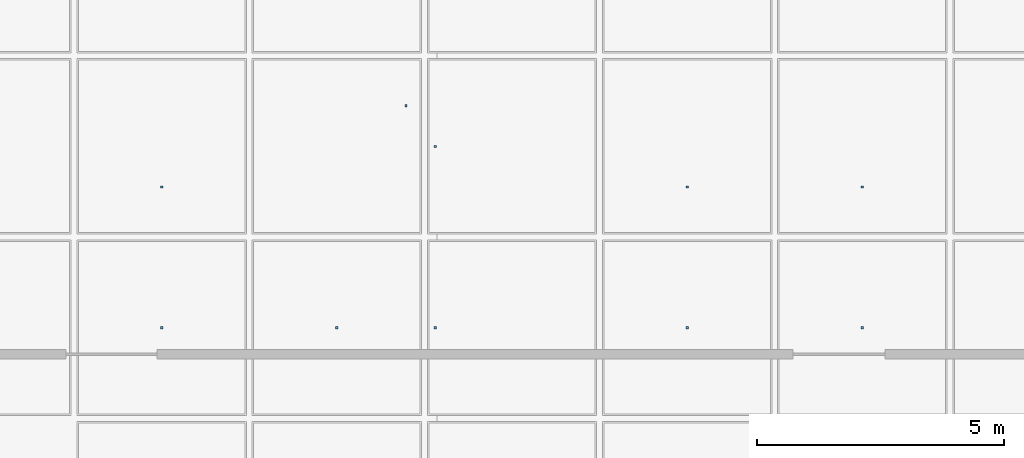
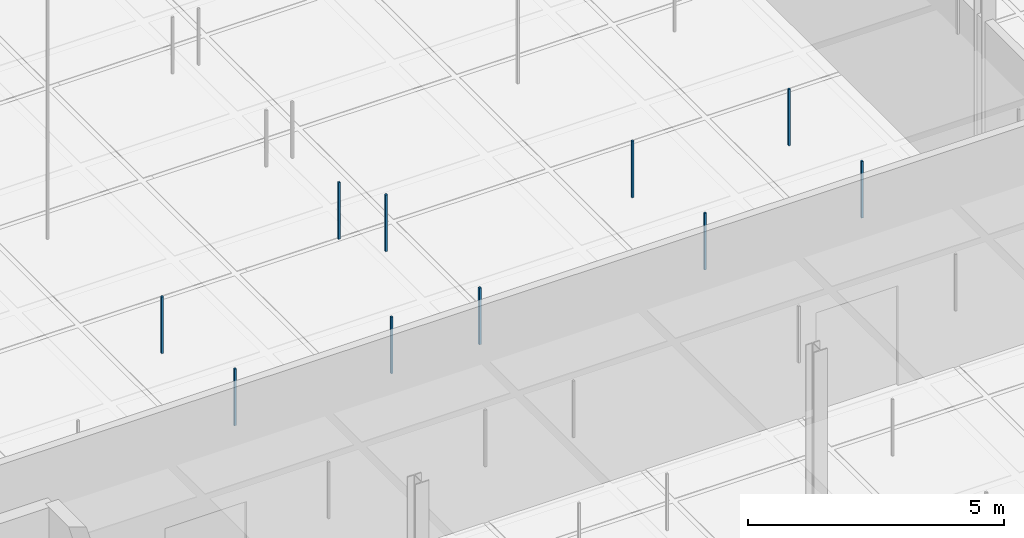
# One storey, part 149 of 180: 10 discrete accessories.
"""IFC4 building model written with IfcOpenShell, lengths in metres."""

from ifc_helpers import new_model, si_unit, direction, frame, origin, origin_2d, place, context, subcontext, project, spatial, rectangle, extrude, material, type_object, element, save


model = new_model("IFC4")

# Units and contexts
model_context = context("Model", 3, precision=1e-05, world=origin(), true_north=direction((0.0, 1.0)))
body_context = subcontext(model_context, "Body", "Model", "MODEL_VIEW")
ifc_project = project(units=[si_unit("LENGTHUNIT", "METRE"), si_unit("AREAUNIT", "SQUARE_METRE"), si_unit("VOLUMEUNIT", "CUBIC_METRE"), si_unit("PLANEANGLEUNIT", "RADIAN"), si_unit("MASSUNIT", "GRAM", prefix="KILO"), si_unit("THERMODYNAMICTEMPERATUREUNIT", "KELVIN"), si_unit("POWERUNIT", "WATT")], contexts=[model_context])

# Site, building, storey
site_placement = place(None, origin())
site = spatial("IfcSite", under=ifc_project, at=site_placement, CompositionType="ELEMENT")
building_placement = place(site_placement, origin())
building = spatial("IfcBuilding", under=site, at=building_placement, Name="Tallowbark Science Centre", CompositionType="ELEMENT")
storey_placement = place(building_placement, origin())
storey = spatial("IfcBuildingStorey", under=building, at=storey_placement, Name="L00", CompositionType="ELEMENT", Elevation=0.0)

# Discrete accessories
ifc_material = material(Name="Galvanised Steel Grade C350L0 (350 MPa)", Category="steel")
discrete_accessory_type = type_object("IfcDiscreteAccessoryType", Name="ACC-CLG-HNG", PredefinedType="BRACKET", material=ifc_material)
for number, where, z_axis, x_axis, name in (
    (1, (129.4375, 14.333251953125, 3.8095703125), (0.0, 0.0, 1.0), (1.0, 0.0, 0.0), "Ceiling Hanger Bracket L00-228"),
    (2, (129.4375, 17.17822265625, 3.8095703125), (0.0, 0.0, 1.0), (1.0, 0.0, 0.0), "Ceiling Hanger Bracket L00-229"),
    (3, (132.979248046875, 14.333251953125, 3.8095703125), (0.0, 0.0, 1.0), (1.0, 0.0, 0.0), "Ceiling Hanger Bracket L00-237"),
    (4, (134.3798828125, 18.82177734375, 3.8095703125), (0.0, 0.0, 1.0), (1.0, 0.0, 0.0), "Ceiling Hanger Bracket L00-238"),
    (5, (134.969970703125, 14.333251953125, 3.8095703125), (0.0, 0.0, 1.0), (1.0, 0.0, 0.0), "Ceiling Hanger Bracket L00-246"),
    (6, (134.969970703125, 18.0, 3.8095703125), (0.0, 0.0, 1.0), (1.0, 0.0, 0.0), "Ceiling Hanger Bracket L00-247"),
    (7, (140.0625, 14.333251953125, 3.8095703125), (0.0, 0.0, 1.0), (1.0, 0.0, 0.0), "Ceiling Hanger Bracket L00-255"),
    (8, (140.0625, 17.17822265625, 3.8095703125), (0.0, 0.0, 1.0), (1.0, 0.0, 0.0), "Ceiling Hanger Bracket L00-256"),
    (9, (143.604248046875, 14.333251953125, 3.8095703125), (0.0, 0.0, 1.0), (1.0, 0.0, 0.0), "Ceiling Hanger Bracket L00-264"),
    (10, (143.604248046875, 17.17822265625, 3.8095703125), (0.0, 0.0, 1.0), (1.0, 0.0, 0.0), "Ceiling Hanger Bracket L00-265"),
):
    element("IfcDiscreteAccessory", number, at=place(storey_placement, frame(where, z_axis=z_axis, x_axis=x_axis)), inside=storey, type_object=discrete_accessory_type, Name=name, PredefinedType="BRACKET", context=body_context, shape_type="SweptSolid", body=[
        extrude(rectangle(XDim=0.044921875, YDim=0.044921875, at=origin_2d()), origin(), (0.0, 0.0, 1.0), 1.353515625),
    ])

save(model, "model.ifc")
